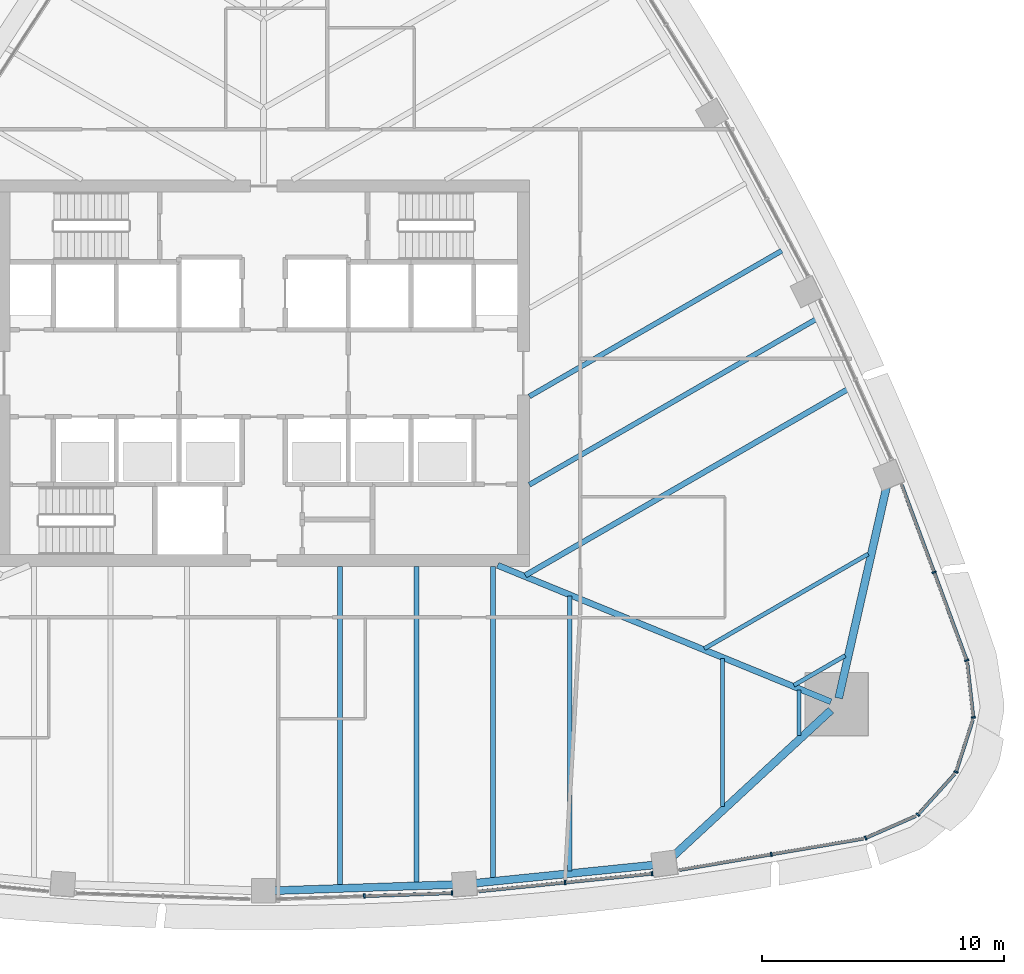
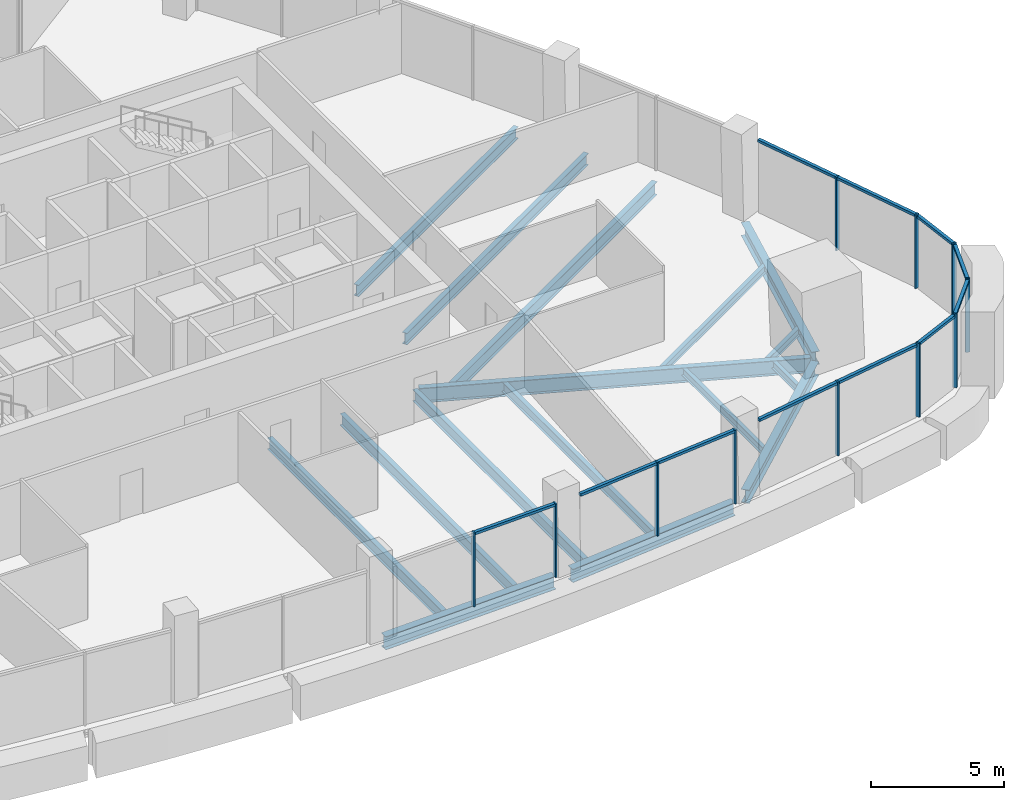
# One storey, part 4 of 19: 22 members, 16 beams, 8 elements without a shape of their own.
"""IFC4 building model written with IfcOpenShell, lengths in metres."""

from ifc_helpers import new_model, si_unit, direction, frame, origin, origin_2d, place, context, subcontext, project, spatial, rectangle, i_section, extrude, material, layer, layer_set, material_profile, profile_set, type_object, element, aggregate, save


model = new_model("IFC4")

# Units and contexts
model_context = context("Model", 3, precision=1e-05, world=origin(), true_north=direction((0.0, 1.0)))
body_context = subcontext(model_context, "Body", "Model", "MODEL_VIEW")
ifc_project = project(units=[si_unit("LENGTHUNIT", "METRE"), si_unit("AREAUNIT", "SQUARE_METRE"), si_unit("VOLUMEUNIT", "CUBIC_METRE"), si_unit("PLANEANGLEUNIT", "RADIAN"), si_unit("MASSUNIT", "GRAM", prefix="KILO")], contexts=[model_context])

# Site, building, storey
site_placement = place(None, origin())
site = spatial("IfcSite", under=ifc_project, at=site_placement, CompositionType="ELEMENT")
building_placement = place(site_placement, origin())
building = spatial("IfcBuilding", under=site, at=building_placement, Name="Sierra Prisma Convention Tower", CompositionType="ELEMENT")
storey_placement = place(building_placement, frame((0.0, 0.0, 173.800048828125)))
storey = spatial("IfcBuildingStorey", under=building, at=storey_placement, Name="L38", CompositionType="ELEMENT", Elevation=173.800048828125)

# Curtain wall, members
ifc_material_1 = material(Name="Aluminium and glass curtain wall", Category="aluminium")
ifc_layer = layer(ifc_material_1, 0.179931640625)
ifc_layer_set = layer_set([ifc_layer], Name="CW-1 Plain shaft curtain wall")
curtain_wall_type = type_object("IfcCurtainWallType", Name="CW-1 Plain shaft curtain wall", PredefinedType="NOTDEFINED", material=ifc_layer_set)
curtain_wall_1_placement = place(storey_placement, origin())
curtain_wall_1 = element("IfcCurtainWall", 1, at=curtain_wall_1_placement, inside=storey, type_object=curtain_wall_type, Name="CW-1 S4 L38", PredefinedType="NOTDEFINED")
ifc_material_2 = material(Name="Aluminium 6063-T6 bronze anodised", Category="aluminium")
ifc_material_profile_1 = material_profile(ifc_material_2, rectangle(XDim=0.179931640625, YDim=0.070068359375, at=origin_2d()), Name="ALU MULLION 70x180")
ifc_profile_set_1 = profile_set([ifc_material_profile_1], Name="Aluminium 6063-T6 bronze anodised")
member_type_1 = type_object("IfcMemberType", Name="CW mullion bronze", PredefinedType="MULLION", material=ifc_profile_set_1)
member_1_placement = place(storey_placement, frame((4.166748046875, -21.646484375, 0.0), z_axis=(0.0, 0.0, 1.0), x_axis=(-0.033740064896, 0.999430641926, 0.0)))
member_1 = element("IfcMember", 2, at=member_1_placement, type_object=member_type_1, Name="CW-1 mullion S4.2", PredefinedType="MULLION", context=body_context, shape_type="SweptSolid", body=[
    extrude(rectangle(XDim=0.179931640625, YDim=0.070068359375, at=origin_2d()), origin(), (0.0, 0.0, 1.0), 3.39990234375),
])
member_2_placement = place(storey_placement, frame((7.798828125, -21.52392578125, 0.0), z_axis=(0.0, 0.0, 1.0), x_axis=(-0.033740064896, 0.999430641926, 0.0)))
member_2 = element("IfcMember", 3, at=member_2_placement, type_object=member_type_1, Name="CW-1 mullion S4.3", PredefinedType="MULLION", context=body_context, shape_type="SweptSolid", body=[
    extrude(rectangle(XDim=0.179931640625, YDim=0.070068359375, at=origin_2d()), origin(), (0.0, 0.0, 1.0), 3.39990234375),
])

curtain_wall_2_placement = place(storey_placement, origin())
curtain_wall_2 = element("IfcCurtainWall", 4, at=curtain_wall_2_placement, inside=storey, type_object=curtain_wall_type, Name="CW-1 S5 L38", PredefinedType="NOTDEFINED")
member_3_placement = place(storey_placement, frame((12.477783203125, -21.085693359375, 0.0), z_axis=(0.0, 0.0, 1.0), x_axis=(-0.101066557011, 0.99487966662, 0.0)))
member_3 = element("IfcMember", 5, at=member_3_placement, type_object=member_type_1, Name="CW-1 mullion S5.2", PredefinedType="MULLION", context=body_context, shape_type="SweptSolid", body=[
    extrude(rectangle(XDim=0.179931640625, YDim=0.070068359375, at=origin_2d()), origin(), (0.0, 0.0, 1.0), 3.39990234375),
])
member_4_placement = place(storey_placement, frame((16.077392578125, -20.719970703125, 0.0), z_axis=(0.0, 0.0, 1.0), x_axis=(-0.101066557011, 0.99487966662, 0.0)))
member_4 = element("IfcMember", 6, at=member_4_placement, type_object=member_type_1, Name="CW-1 mullion S5.3", PredefinedType="MULLION", context=body_context, shape_type="SweptSolid", body=[
    extrude(rectangle(XDim=0.179931640625, YDim=0.070068359375, at=origin_2d()), origin(), (0.0, 0.0, 1.0), 3.39990234375),
])

# Curtain wall, member
curtain_wall_3_placement = place(storey_placement, origin())
curtain_wall_3 = element("IfcCurtainWall", 7, at=curtain_wall_3_placement, inside=storey, type_object=curtain_wall_type, Name="CW-1 S6 L38", PredefinedType="NOTDEFINED")
member_5_placement = place(storey_placement, frame((21.0166015625, -19.918212890625, 0.0), z_axis=(0.0, 0.0, 1.0), x_axis=(-0.167932835695, 0.985798439183, 0.0)))
member_5 = element("IfcMember", 8, at=member_5_placement, type_object=member_type_1, Name="CW-1 mullion S6.2", PredefinedType="MULLION", context=body_context, shape_type="SweptSolid", body=[
    extrude(rectangle(XDim=0.179931640625, YDim=0.070068359375, at=origin_2d()), origin(), (0.0, 0.0, 1.0), 3.39990234375),
])

curtain_wall_4_placement = place(storey_placement, origin())
curtain_wall_4 = element("IfcCurtainWall", 9, at=curtain_wall_4_placement, inside=storey, type_object=curtain_wall_type, Name="CW-1 SE1 L38", PredefinedType="NOTDEFINED")
member_6_placement = place(storey_placement, frame((24.918212890625, -19.244873046875, 0.0), z_axis=(0.0, 0.0, 1.0), x_axis=(-0.401961940938, 0.915656375524, 0.0)))
member_6 = element("IfcMember", 10, at=member_6_placement, type_object=member_type_1, Name="CW-1 mullion SE1.1", PredefinedType="MULLION", context=body_context, shape_type="SweptSolid", body=[
    extrude(rectangle(XDim=0.179931640625, YDim=0.070068359375, at=origin_2d()), origin(), (0.0, 0.0, 1.0), 3.39990234375),
])

curtain_wall_5_placement = place(storey_placement, origin())
curtain_wall_5 = element("IfcCurtainWall", 11, at=curtain_wall_5_placement, inside=storey, type_object=curtain_wall_type, Name="CW-1 SE2 L38", PredefinedType="NOTDEFINED")
member_7_placement = place(storey_placement, frame((27.083984375, -18.278564453125, 0.0), z_axis=(0.0, 0.0, 1.0), x_axis=(-0.741979297896, 0.67042279309, 0.0)))
member_7 = element("IfcMember", 12, at=member_7_placement, type_object=member_type_1, Name="CW-1 mullion SE2.1", PredefinedType="MULLION", context=body_context, shape_type="SweptSolid", body=[
    extrude(rectangle(XDim=0.179931640625, YDim=0.070068359375, at=origin_2d()), origin(), (0.0, 0.0, 1.0), 3.39990234375),
])

curtain_wall_6_placement = place(storey_placement, origin())
curtain_wall_6 = element("IfcCurtainWall", 13, at=curtain_wall_6_placement, inside=storey, type_object=curtain_wall_type, Name="CW-1 SE3 L38", PredefinedType="NOTDEFINED")
member_8_placement = place(storey_placement, frame((28.663330078125, -16.50927734375, 0.0), z_axis=(0.0, 0.0, 1.0), x_axis=(-0.95159281904, 0.307361524515, 0.0)))
member_8 = element("IfcMember", 14, at=member_8_placement, type_object=member_type_1, Name="CW-1 mullion SE3.1", PredefinedType="MULLION", context=body_context, shape_type="SweptSolid", body=[
    extrude(rectangle(XDim=0.179931640625, YDim=0.070068359375, at=origin_2d()), origin(), (0.0, 0.0, 1.0), 3.39990234375),
])

curtain_wall_7_placement = place(storey_placement, origin())
curtain_wall_7 = element("IfcCurtainWall", 15, at=curtain_wall_7_placement, inside=storey, type_object=curtain_wall_type, Name="CW-1 SE4 L38", PredefinedType="NOTDEFINED")
member_9_placement = place(storey_placement, frame((29.378662109375, -14.248046875, 0.0), z_axis=(0.0, 0.0, 1.0), x_axis=(-0.99396265281, -0.109718935555, 0.0)))
member_9 = element("IfcMember", 16, at=member_9_placement, type_object=member_type_1, Name="CW-1 mullion SE4.1", PredefinedType="MULLION", context=body_context, shape_type="SweptSolid", body=[
    extrude(rectangle(XDim=0.179931640625, YDim=0.070068359375, at=origin_2d()), origin(), (0.0, 0.0, 1.0), 3.39990234375),
])

# Curtain wall, members
curtain_wall_8_placement = place(storey_placement, origin())
curtain_wall_8 = element("IfcCurtainWall", 17, at=curtain_wall_8_placement, inside=storey, type_object=curtain_wall_type, Name="CW-1 NE1 L38", PredefinedType="NOTDEFINED")
member_10_placement = place(storey_placement, frame((29.10986328125, -11.889892578125, 0.0), z_axis=(0.0, 0.0, 1.0), x_axis=(-0.937692909191, -0.34746511775, 0.0)))
member_10 = element("IfcMember", 18, at=member_10_placement, type_object=member_type_1, Name="CW-1 mullion NE1.1", PredefinedType="MULLION", context=body_context, shape_type="SweptSolid", body=[
    extrude(rectangle(XDim=0.179931640625, YDim=0.070068359375, at=origin_2d()), origin(), (0.0, 0.0, 1.0), 3.39990234375),
])
member_11_placement = place(storey_placement, frame((27.758056640625, -8.241943359375, 0.0), z_axis=(0.0, 0.0, 1.0), x_axis=(-0.937692909191, -0.34746511775, 0.0)))
member_11 = element("IfcMember", 19, at=member_11_placement, type_object=member_type_1, Name="CW-1 mullion NE1.2", PredefinedType="MULLION", context=body_context, shape_type="SweptSolid", body=[
    extrude(rectangle(XDim=0.179931640625, YDim=0.070068359375, at=origin_2d()), origin(), (0.0, 0.0, 1.0), 3.39990234375),
])

# Member
ifc_material_3 = material(Name="Aluminium 6063-T6 bronze anodised", Category="aluminium")
ifc_material_profile_2 = material_profile(ifc_material_3, rectangle(XDim=0.139892578125, YDim=0.1201171875, at=origin_2d()), Name="ALU TRANSOM 120x140")
ifc_profile_set_2 = profile_set([ifc_material_profile_2], Name="Aluminium 6063-T6 bronze anodised")
member_type_2 = type_object("IfcMemberType", Name="CW transom bronze", PredefinedType="USERDEFINED", material=ifc_profile_set_2)
member_12_placement = place(storey_placement, frame((4.20166015625, -21.645263671875, 3.33984375), z_axis=(0.999431984818, 0.033700262938, 0.0), x_axis=(-0.033700262938, 0.999431984818, 0.0)))
member_12 = element("IfcMember", 20, at=member_12_placement, type_object=member_type_2, Name="CW-1 transom S4.2", ObjectType="TRANSOM", PredefinedType="USERDEFINED", context=body_context, shape_type="SweptSolid", body=[
    extrude(rectangle(XDim=0.139892578125, YDim=0.1201171875, at=origin_2d()), origin(), (0.0, 0.0, 1.0), 3.564208984375),
])

aggregate(curtain_wall_1, [member_1, member_2, member_12])

member_13_placement = place(storey_placement, frame((8.9130859375, -21.44775390625, 3.33984375), z_axis=(0.99487857559, 0.101077296324, 0.0), x_axis=(-0.101077296324, 0.99487857559, 0.0)))
member_13 = element("IfcMember", 21, at=member_13_placement, type_object=member_type_2, Name="CW-1 transom S5.1", ObjectType="TRANSOM", PredefinedType="USERDEFINED", context=body_context, shape_type="SweptSolid", body=[
    extrude(rectangle(XDim=0.139892578125, YDim=0.1201171875, at=origin_2d()), origin(), (0.0, 0.0, 1.0), 3.548095703125),
])

member_14_placement = place(storey_placement, frame((12.5126953125, -21.08203125, 3.33984375), z_axis=(0.994885492501, 0.101009191714, 0.0), x_axis=(-0.101009191714, 0.994885492501, 0.0)))
member_14 = element("IfcMember", 22, at=member_14_placement, type_object=member_type_2, Name="CW-1 transom S5.2", ObjectType="TRANSOM", PredefinedType="USERDEFINED", context=body_context, shape_type="SweptSolid", body=[
    extrude(rectangle(XDim=0.139892578125, YDim=0.1201171875, at=origin_2d()), origin(), (0.0, 0.0, 1.0), 3.548095703125),
])

aggregate(curtain_wall_2, [member_3, member_4, member_13, member_14])

member_15_placement = place(storey_placement, frame((17.216064453125, -20.565673828125, 3.33984375), z_axis=(0.985796868286, 0.167942056907, 0.0), x_axis=(-0.167942056907, 0.985796868286, 0.0)))
member_15 = element("IfcMember", 23, at=member_15_placement, type_object=member_type_2, Name="CW-1 transom S6.1", ObjectType="TRANSOM", PredefinedType="USERDEFINED", context=body_context, shape_type="SweptSolid", body=[
    extrude(rectangle(XDim=0.139892578125, YDim=0.1201171875, at=origin_2d()), origin(), (0.0, 0.0, 1.0), 3.8203125),
])

member_16_placement = place(storey_placement, frame((21.051025390625, -19.912353515625, 3.33984375), z_axis=(0.985798670523, 0.167931477678, 0.0), x_axis=(-0.167931477678, 0.985798670523, 0.0)))
member_16 = element("IfcMember", 24, at=member_16_placement, type_object=member_type_2, Name="CW-1 transom S6.2", ObjectType="TRANSOM", PredefinedType="USERDEFINED", context=body_context, shape_type="SweptSolid", body=[
    extrude(rectangle(XDim=0.139892578125, YDim=0.1201171875, at=origin_2d()), origin(), (0.0, 0.0, 1.0), 3.820556640625),
])

aggregate(curtain_wall_3, [member_5, member_15, member_16])

member_17_placement = place(storey_placement, frame((24.950439453125, -19.23095703125, 3.33984375), z_axis=(0.915662665151, 0.401947613064, 0.0), x_axis=(-0.401947613064, 0.915662665151, 0.0)))
member_17 = element("IfcMember", 25, at=member_17_placement, type_object=member_type_2, Name="CW-1 transom SE1.1", ObjectType="TRANSOM", PredefinedType="USERDEFINED", context=body_context, shape_type="SweptSolid", body=[
    extrude(rectangle(XDim=0.139892578125, YDim=0.1201171875, at=origin_2d()), origin(), (0.0, 0.0, 1.0), 2.234619140625),
])

aggregate(curtain_wall_4, [member_6, member_17])

member_18_placement = place(storey_placement, frame((27.107666015625, -18.252685546875, 3.33984375), z_axis=(0.670363888221, 0.742032517731, 0.0), x_axis=(-0.742032517731, 0.670363888221, 0.0)))
member_18 = element("IfcMember", 26, at=member_18_placement, type_object=member_type_2, Name="CW-1 transom SE2.1", ObjectType="TRANSOM", PredefinedType="USERDEFINED", context=body_context, shape_type="SweptSolid", body=[
    extrude(rectangle(XDim=0.139892578125, YDim=0.1201171875, at=origin_2d()), origin(), (0.0, 0.0, 1.0), 2.234619140625),
])

aggregate(curtain_wall_5, [member_7, member_18])

member_19_placement = place(storey_placement, frame((28.674072265625, -16.47607421875, 3.33984375), z_axis=(0.307430483083, 0.951570542877, 0.0), x_axis=(-0.951570542877, 0.307430483083, 0.0)))
member_19 = element("IfcMember", 27, at=member_19_placement, type_object=member_type_2, Name="CW-1 transom SE3.1", ObjectType="TRANSOM", PredefinedType="USERDEFINED", context=body_context, shape_type="SweptSolid", body=[
    extrude(rectangle(XDim=0.139892578125, YDim=0.1201171875, at=origin_2d()), origin(), (0.0, 0.0, 1.0), 2.234619140625),
])

aggregate(curtain_wall_6, [member_8, member_19])

member_20_placement = place(storey_placement, frame((29.374755859375, -14.21337890625, 3.33984375), z_axis=(-0.109688055102, 0.993966061074, 0.0), x_axis=(-0.993966061074, -0.109688055102, 0.0)))
member_20 = element("IfcMember", 28, at=member_20_placement, type_object=member_type_2, Name="CW-1 transom SE4.1", ObjectType="TRANSOM", PredefinedType="USERDEFINED", context=body_context, shape_type="SweptSolid", body=[
    extrude(rectangle(XDim=0.139892578125, YDim=0.1201171875, at=origin_2d()), origin(), (0.0, 0.0, 1.0), 2.234619140625),
])

aggregate(curtain_wall_7, [member_9, member_20])

member_21_placement = place(storey_placement, frame((29.09765625, -11.85693359375, 3.33984375), z_axis=(-0.347457967234, 0.937695558806, 0.0), x_axis=(-0.937695558806, -0.347457967234, 0.0)))
member_21 = element("IfcMember", 29, at=member_21_placement, type_object=member_type_2, Name="CW-1 transom NE1.1", ObjectType="TRANSOM", PredefinedType="USERDEFINED", context=body_context, shape_type="SweptSolid", body=[
    extrude(rectangle(XDim=0.139892578125, YDim=0.1201171875, at=origin_2d()), origin(), (0.0, 0.0, 1.0), 3.8203125),
])

member_22_placement = place(storey_placement, frame((27.745849609375, -8.208984375, 3.33984375), z_axis=(-0.347457967234, 0.937695558806, 0.0), x_axis=(-0.937695558806, -0.347457967234, 0.0)))
member_22 = element("IfcMember", 30, at=member_22_placement, type_object=member_type_2, Name="CW-1 transom NE1.2", ObjectType="TRANSOM", PredefinedType="USERDEFINED", context=body_context, shape_type="SweptSolid", body=[
    extrude(rectangle(XDim=0.139892578125, YDim=0.1201171875, at=origin_2d()), origin(), (0.0, 0.0, 1.0), 3.8203125),
])

aggregate(curtain_wall_8, [member_10, member_11, member_21, member_22])

# Beams
ifc_material_4 = material(Name="Steel ASTM A992 Gr 50", Category="steel")
ifc_material_profile_3 = material_profile(ifc_material_4, i_section(OverallWidth=0.172119140625, OverallDepth=0.35791015625, WebThickness=0.0078125, FlangeThickness=0.01318359375, at=origin_2d()), Name="W360x57")
ifc_profile_set_3 = profile_set([ifc_material_profile_3], Name="Steel ASTM A992 Gr 50")
beam_type_1 = type_object("IfcBeamType", Name="Floor joist W360x57", PredefinedType="JOIST", material=ifc_profile_set_3)
beam_1_placement = place(storey_placement, frame((18.997802734375, -17.931884765625, -0.3291015625), z_axis=(0.0, 1.0, 0.0), x_axis=(-1.0, 0.0, 0.0)))
element("IfcBeam", 31, at=beam_1_placement, inside=storey, type_object=beam_type_1, Name="Floor joist L38 S14", PredefinedType="JOIST", context=body_context, shape_type="SweptSolid", body=[
    extrude(i_section(OverallWidth=0.172119140625, OverallDepth=0.35791015625, WebThickness=0.0078125, FlangeThickness=0.01318359375, at=origin_2d()), origin(), (0.0, 0.0, 1.0), 6.111083984375),
])
beam_2_placement = place(storey_placement, frame((22.1640625, -15.00341796875, -0.3291015625), z_axis=(0.0, 1.0, 0.0), x_axis=(-1.0, 0.0, 0.0)))
element("IfcBeam", 32, at=beam_2_placement, inside=storey, type_object=beam_type_1, Name="Floor joist L38 S15", PredefinedType="JOIST", context=body_context, shape_type="SweptSolid", body=[
    extrude(i_section(OverallWidth=0.172119140625, OverallDepth=0.35791015625, WebThickness=0.0078125, FlangeThickness=0.01318359375, at=origin_2d()), origin(), (0.0, 0.0, 1.0), 1.88623046875),
])
beam_3_placement = place(storey_placement, frame((24.075439453125, -11.69287109375, -0.3291015625), z_axis=(-0.866018256711, -0.500012378889, 0.0), x_axis=(0.500012378889, -0.866018256711, 0.0)))
element("IfcBeam", 33, at=beam_3_placement, inside=storey, type_object=beam_type_1, Name="Floor joist L38 NE01", PredefinedType="JOIST", context=body_context, shape_type="SweptSolid", body=[
    extrude(i_section(OverallWidth=0.172119140625, OverallDepth=0.35791015625, WebThickness=0.0078125, FlangeThickness=0.01318359375, at=origin_2d()), origin(), (0.0, 0.0, 1.0), 2.4541015625),
])
beam_4_placement = place(storey_placement, frame((25.0283203125, -7.486572265625, -0.3291015625), z_axis=(-0.86602675185, -0.499997665074, 0.0), x_axis=(0.499997665074, -0.86602675185, 0.0)))
element("IfcBeam", 34, at=beam_4_placement, inside=storey, type_object=beam_type_1, Name="Floor joist L38 NE02", PredefinedType="JOIST", context=body_context, shape_type="SweptSolid", body=[
    extrude(i_section(OverallWidth=0.172119140625, OverallDepth=0.35791015625, WebThickness=0.0078125, FlangeThickness=0.01318359375, at=origin_2d()), origin(), (0.0, 0.0, 1.0), 7.83251953125),
])
ifc_material_5 = material(Name="Steel ASTM A992 Gr 50", Category="steel")
ifc_material_profile_4 = material_profile(ifc_material_5, i_section(OverallWidth=0.18994140625, OverallDepth=0.45703125, WebThickness=0.009033203125, FlangeThickness=0.014404296875, at=origin_2d()), Name="W460x74")
ifc_profile_set_4 = profile_set([ifc_material_profile_4], Name="Steel ASTM A992 Gr 50")
beam_type_2 = type_object("IfcBeamType", Name="Floor joist W460x74", PredefinedType="JOIST", material=ifc_profile_set_4)
beam_5_placement = place(storey_placement, frame((12.665283203125, -20.601806640625, -0.378662109375), z_axis=(0.0, 1.0, 0.0), x_axis=(-1.0, 0.0, 0.0)))
element("IfcBeam", 35, at=beam_5_placement, inside=storey, type_object=beam_type_2, Name="Floor joist L38 S12", PredefinedType="JOIST", context=body_context, shape_type="SweptSolid", body=[
    extrude(i_section(OverallWidth=0.18994140625, OverallDepth=0.45703125, WebThickness=0.009033203125, FlangeThickness=0.014404296875, at=origin_2d()), origin(), (0.0, 0.0, 1.0), 11.373779296875),
])
ifc_material_6 = material(Name="Steel ASTM A992 Gr 50", Category="steel")
ifc_material_profile_5 = material_profile(ifc_material_6, i_section(OverallWidth=0.208984375, OverallDepth=0.532958984375, WebThickness=0.01025390625, FlangeThickness=0.015625, at=origin_2d()), Name="W530x92")
ifc_profile_set_5 = profile_set([ifc_material_profile_5], Name="Steel ASTM A992 Gr 50")
beam_type_3 = type_object("IfcBeamType", Name="Floor joist W530x92", PredefinedType="JOIST", material=ifc_profile_set_5)
beam_6_placement = place(storey_placement, frame((3.166259765625, -21.217529296875, -0.41650390625), z_axis=(0.0, 1.0, 0.0), x_axis=(-1.0, 0.0, 0.0)))
element("IfcBeam", 36, at=beam_6_placement, inside=storey, type_object=beam_type_3, Name="Floor joist L38 S09", PredefinedType="JOIST", context=body_context, shape_type="SweptSolid", body=[
    extrude(i_section(OverallWidth=0.208984375, OverallDepth=0.532958984375, WebThickness=0.01025390625, FlangeThickness=0.015625, at=origin_2d()), origin(), (0.0, 0.0, 1.0), 13.217529296875),
])
beam_7_placement = place(storey_placement, frame((6.33251953125, -21.11083984375, -0.41650390625), z_axis=(0.0, 1.0, 0.0), x_axis=(-1.0, 0.0, 0.0)))
element("IfcBeam", 37, at=beam_7_placement, inside=storey, type_object=beam_type_3, Name="Floor joist L38 S10", PredefinedType="JOIST", context=body_context, shape_type="SweptSolid", body=[
    extrude(i_section(OverallWidth=0.208984375, OverallDepth=0.532958984375, WebThickness=0.01025390625, FlangeThickness=0.015625, at=origin_2d()), origin(), (0.0, 0.0, 1.0), 13.11083984375),
])
beam_8_placement = place(storey_placement, frame((9.498779296875, -20.92333984375, -0.41650390625), z_axis=(0.0, 1.0, 0.0), x_axis=(-1.0, 0.0, 0.0)))
element("IfcBeam", 38, at=beam_8_placement, inside=storey, type_object=beam_type_3, Name="Floor joist L38 S11", PredefinedType="JOIST", context=body_context, shape_type="SweptSolid", body=[
    extrude(i_section(OverallWidth=0.208984375, OverallDepth=0.532958984375, WebThickness=0.01025390625, FlangeThickness=0.015625, at=origin_2d()), origin(), (0.0, 0.0, 1.0), 12.92333984375),
])
beam_9_placement = place(storey_placement, frame((22.86962890625, 2.2353515625, -0.41650390625), z_axis=(-0.866030150373, -0.499991778577, 0.0), x_axis=(0.499991778577, -0.866030150373, 0.0)))
element("IfcBeam", 39, at=beam_9_placement, inside=storey, type_object=beam_type_3, Name="Floor joist L38 NE05", PredefinedType="JOIST", context=body_context, shape_type="SweptSolid", body=[
    extrude(i_section(OverallWidth=0.208984375, OverallDepth=0.532958984375, WebThickness=0.01025390625, FlangeThickness=0.015625, at=origin_2d()), origin(), (0.0, 0.0, 1.0), 13.705810546875),
])
beam_10_placement = place(storey_placement, frame((21.44873046875, 5.0712890625, -0.41650390625), z_axis=(-0.866020469142, -0.500008546953, 0.0), x_axis=(0.500008546953, -0.866020469142, 0.0)))
element("IfcBeam", 40, at=beam_10_placement, inside=storey, type_object=beam_type_3, Name="Floor joist L38 NE06", PredefinedType="JOIST", context=body_context, shape_type="SweptSolid", body=[
    extrude(i_section(OverallWidth=0.208984375, OverallDepth=0.532958984375, WebThickness=0.01025390625, FlangeThickness=0.015625, at=origin_2d()), origin(), (0.0, 0.0, 1.0), 12.065185546875),
])
ifc_material_7 = material(Name="Steel ASTM A992 Gr 50", Category="steel")
ifc_material_profile_6 = material_profile(ifc_material_7, i_section(OverallWidth=0.22802734375, OverallDepth=0.60302734375, WebThickness=0.010498046875, FlangeThickness=0.014892578125, at=origin_2d()), Name="W610x101")
ifc_profile_set_6 = profile_set([ifc_material_profile_6], Name="Steel ASTM A992 Gr 50")
beam_type_4 = type_object("IfcBeamType", Name="Floor joist W610x101", PredefinedType="JOIST", material=ifc_profile_set_6)
beam_11_placement = place(storey_placement, frame((24.174072265625, -0.66748046875, -0.45166015625), z_axis=(-0.866023253163, -0.500003724967, 0.0), x_axis=(0.500003724967, -0.866023253163, 0.0)))
element("IfcBeam", 41, at=beam_11_placement, inside=storey, type_object=beam_type_4, Name="Floor joist L38 NE04", PredefinedType="JOIST", context=body_context, shape_type="SweptSolid", body=[
    extrude(i_section(OverallWidth=0.22802734375, OverallDepth=0.60302734375, WebThickness=0.010498046875, FlangeThickness=0.014892578125, at=origin_2d()), origin(), (0.0, 0.0, 1.0), 15.40283203125),
])
ifc_material_8 = material(Name="Steel ASTM A992 Gr 50", Category="steel")
ifc_material_profile_7 = material_profile(ifc_material_8, i_section(OverallWidth=0.25390625, OverallDepth=0.68408203125, WebThickness=0.012451171875, FlangeThickness=0.018798828125, at=origin_2d()), Name="W690x140")
ifc_profile_set_7 = profile_set([ifc_material_profile_7], Name="Steel ASTM A992 Gr 50")
beam_type_5 = type_object("IfcBeamType", Name="Radial girder W690x140", PredefinedType="BEAM", material=ifc_profile_set_7)
beam_12_placement = place(storey_placement, frame((23.4873046875, -13.60400390625, -0.491943359375), z_axis=(-0.925437891645, 0.378899338488, 0.0), x_axis=(-0.378899338488, -0.925437891645, 0.0)))
element("IfcBeam", 42, at=beam_12_placement, inside=storey, type_object=beam_type_5, Name="Radial girder L38 SE", PredefinedType="BEAM", context=body_context, shape_type="SweptSolid", body=[
    extrude(i_section(OverallWidth=0.25390625, OverallDepth=0.68408203125, WebThickness=0.012451171875, FlangeThickness=0.018798828125, at=origin_2d()), origin(), (0.0, 0.0, 1.0), 14.91015625),
])
ifc_material_9 = material(Name="Steel ASTM A992 Gr 50", Category="steel")
ifc_material_profile_8 = material_profile(ifc_material_9, i_section(OverallWidth=0.324951171875, OverallDepth=0.615966796875, WebThickness=0.013916015625, FlangeThickness=0.021484375, at=origin_2d()), Name="W610x174")
ifc_profile_set_8 = profile_set([ifc_material_profile_8], Name="Steel ASTM A992 Gr 50")
beam_type_6 = type_object("IfcBeamType", Name="Spandrel beam W610x174", PredefinedType="BEAM", material=ifc_profile_set_8)
beam_13_placement = place(storey_placement, frame((0.380126953125, -21.42431640625, -0.4580078125), z_axis=(0.999430308815, 0.033749930687, 0.0), x_axis=(-0.033749930687, 0.999430308815, 0.0)))
element("IfcBeam", 43, at=beam_13_placement, inside=storey, type_object=beam_type_6, Name="Spandrel L38-04", PredefinedType="BEAM", context=body_context, shape_type="SweptSolid", body=[
    extrude(i_section(OverallWidth=0.324951171875, OverallDepth=0.615966796875, WebThickness=0.013916015625, FlangeThickness=0.021484375, at=origin_2d()), origin(), (0.0, 0.0, 1.0), 7.566650390625),
])
beam_14_placement = place(storey_placement, frame((8.70068359375, -21.11767578125, -0.4580078125), z_axis=(0.994881049692, 0.101052941386, 0.0), x_axis=(-0.101052941386, 0.994881049692, 0.0)))
element("IfcBeam", 44, at=beam_14_placement, inside=storey, type_object=beam_type_6, Name="Spandrel L38-05", PredefinedType="BEAM", context=body_context, shape_type="SweptSolid", body=[
    extrude(i_section(OverallWidth=0.324951171875, OverallDepth=0.615966796875, WebThickness=0.013916015625, FlangeThickness=0.021484375, at=origin_2d()), origin(), (0.0, 0.0, 1.0), 7.56689453125),
])
beam_15_placement = place(storey_placement, frame((16.96728515625, -19.9814453125, -0.4580078125), z_axis=(0.734127530013, 0.679011612329, 0.0), x_axis=(-0.679011612329, 0.734127530013, 0.0)))
element("IfcBeam", 45, at=beam_15_placement, inside=storey, type_object=beam_type_6, Name="Spandrel L38-06", PredefinedType="BEAM", context=body_context, shape_type="SweptSolid", body=[
    extrude(i_section(OverallWidth=0.324951171875, OverallDepth=0.615966796875, WebThickness=0.013916015625, FlangeThickness=0.021484375, at=origin_2d()), origin(), (0.0, 0.0, 1.0), 8.88134765625),
])
beam_16_placement = place(storey_placement, frame((23.80615234375, -13.450439453125, -0.4580078125), z_axis=(0.220981012029, 0.975278110245, 0.0), x_axis=(-0.975278110245, 0.220981012029, 0.0)))
element("IfcBeam", 46, at=beam_16_placement, inside=storey, type_object=beam_type_6, Name="Spandrel L38-07", PredefinedType="BEAM", context=body_context, shape_type="SweptSolid", body=[
    extrude(i_section(OverallWidth=0.324951171875, OverallDepth=0.615966796875, WebThickness=0.013916015625, FlangeThickness=0.021484375, at=origin_2d()), origin(), (0.0, 0.0, 1.0), 8.96875),
])

save(model, "model.ifc")
